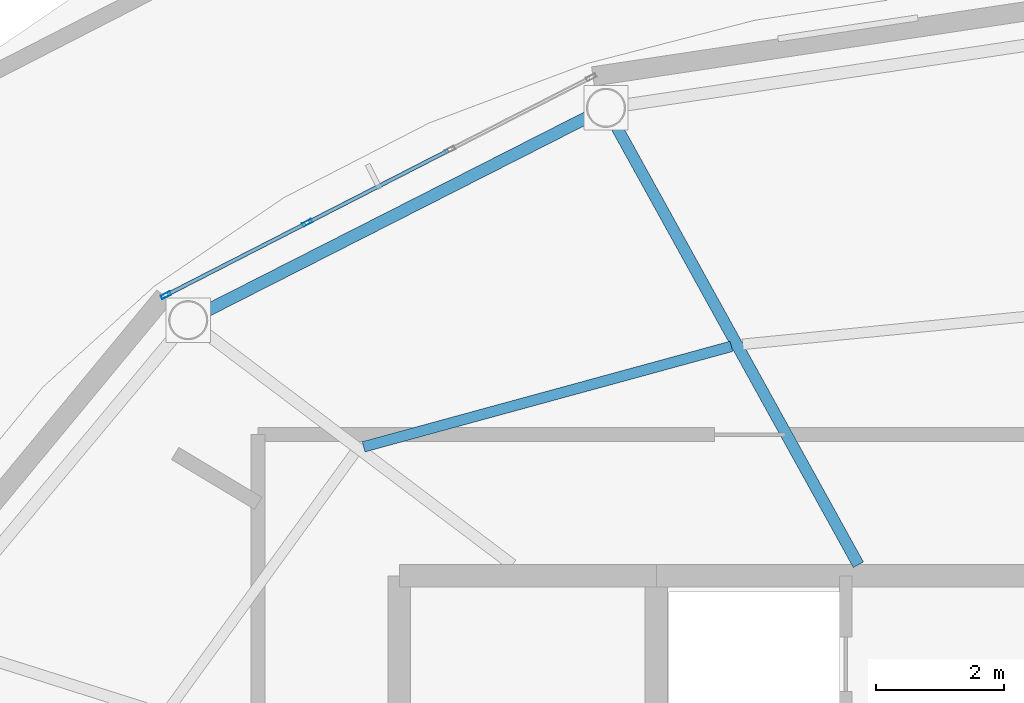
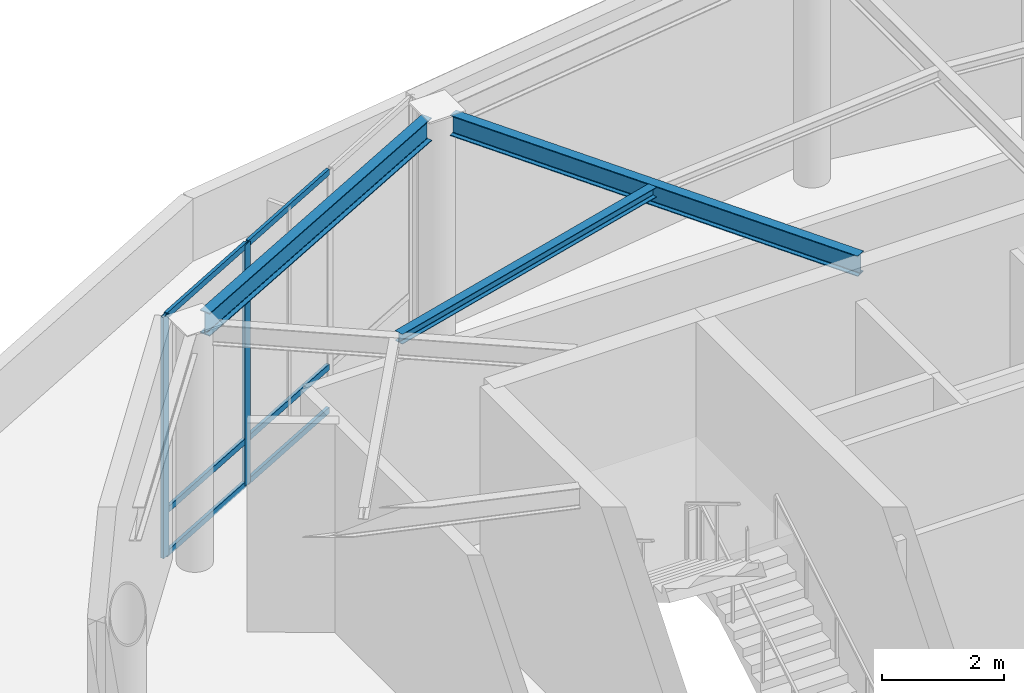
# One storey, part 4 of 15: 8 members, 3 beams, 1 element without a shape of its own.
"""IFC4 building model written with IfcOpenShell, lengths in metres."""

from ifc_helpers import new_model, si_unit, direction, frame, origin, origin_2d, place, context, subcontext, project, spatial, hollow_rectangle, i_section, extrude, material, layer, layer_set, material_profile, profile_set, type_object, element, aggregate, save


model = new_model("IFC4")

# Units and contexts
model_context = context("Model", 3, precision=1e-05, world=origin(), true_north=direction((0.0, 1.0)))
body_context = subcontext(model_context, "Body", "Model", "MODEL_VIEW")
ifc_project = project(units=[si_unit("LENGTHUNIT", "METRE"), si_unit("AREAUNIT", "SQUARE_METRE"), si_unit("VOLUMEUNIT", "CUBIC_METRE"), si_unit("PLANEANGLEUNIT", "RADIAN"), si_unit("MASSUNIT", "GRAM", prefix="KILO")], contexts=[model_context])

# Site, building, storey
site_placement = place(None, origin())
site = spatial("IfcSite", under=ifc_project, at=site_placement, CompositionType="ELEMENT")
building_placement = place(site_placement, origin())
building = spatial("IfcBuilding", under=site, at=building_placement, Name="Sarneth Arch Tower", CompositionType="ELEMENT")
storey_placement = place(building_placement, frame((0.0, 0.0, 316.5)))
storey = spatial("IfcBuildingStorey", under=building, at=storey_placement, Name="L82", CompositionType="ELEMENT", Elevation=316.5)

# Beams
ifc_material_1 = material(Name="Steel S355", Category="steel")
ifc_material_profile_1 = material_profile(ifc_material_1, i_section(OverallWidth=0.1650390625, OverallDepth=0.200927734375, WebThickness=0.006103515625, FlangeThickness=0.01025390625, FilletRadius=0.010009765625, at=origin_2d()), Name="W200x35.9")
ifc_profile_set_1 = profile_set([ifc_material_profile_1], Name="Steel S355")
beam_type_1 = type_object("IfcBeamType", Name="BM-JOIST-200", PredefinedType="JOIST", material=ifc_profile_set_1)
beam_1_placement = place(storey_placement, frame((42.1689453125, 52.375, 4.739501953125), z_axis=(-0.964665041137, -0.263479332034, 0.0), x_axis=(0.263479332034, -0.964665041137, 0.0)))
element("IfcBeam", 1, at=beam_1_placement, inside=storey, type_object=beam_type_1, Name="L82 Secondary floor joist 06", PredefinedType="JOIST", context=body_context, shape_type="SweptSolid", body=[
    extrude(i_section(OverallWidth=0.1650390625, OverallDepth=0.200927734375, WebThickness=0.006103515625, FlangeThickness=0.01025390625, FilletRadius=0.010009765625, at=origin_2d()), origin(), (0.0, 0.0, 1.0), 5.935791015625),
])
ifc_material_2 = material(Name="Steel S355", Category="steel")
ifc_material_profile_2 = material_profile(ifc_material_2, i_section(OverallWidth=0.179931640625, OverallDepth=0.4130859375, WebThickness=0.009765625, FlangeThickness=0.01611328125, FilletRadius=0.01611328125, at=origin_2d()), Name="W410x75")
ifc_profile_set_2 = profile_set([ifc_material_profile_2], Name="Steel S355")
beam_type_2 = type_object("IfcBeamType", Name="BM-RAD-410B", PredefinedType="BEAM", material=ifc_profile_set_2)
beam_2_placement = place(storey_placement, frame((44.14697265625, 48.97509765625, 4.633544921875), z_axis=(-0.483540137105, 0.875322189715, 0.0), x_axis=(-0.875322189715, -0.483540137105, 0.0)))
element("IfcBeam", 2, at=beam_2_placement, inside=storey, type_object=beam_type_2, Name="L82 Radial floor girder 06", PredefinedType="BEAM", context=body_context, shape_type="SweptSolid", body=[
    extrude(i_section(OverallWidth=0.179931640625, OverallDepth=0.4130859375, WebThickness=0.009765625, FlangeThickness=0.01611328125, FilletRadius=0.01611328125, at=origin_2d()), origin(), (0.0, 0.0, 1.0), 7.822509765625),
])
ifc_material_3 = material(Name="Steel S355", Category="steel")
ifc_material_profile_3 = material_profile(ifc_material_3, i_section(OverallWidth=0.19189453125, OverallDepth=0.462890625, WebThickness=0.010498046875, FlangeThickness=0.017578125, FilletRadius=0.01806640625, at=origin_2d()), Name="W460x89")
ifc_profile_set_3 = profile_set([ifc_material_profile_3], Name="Steel S355")
beam_type_3 = type_object("IfcBeamType", Name="BM-RAD-460B", PredefinedType="BEAM", material=ifc_profile_set_3)
beam_3_placement = place(storey_placement, frame((39.945068359375, 55.950927734375, 4.6083984375), z_axis=(-0.891524580884, -0.45297231889, 0.0), x_axis=(0.45297231889, -0.891524580884, 0.0)))
element("IfcBeam", 3, at=beam_3_placement, inside=storey, type_object=beam_type_3, Name="L82 Perimeter spandrel beam 06", PredefinedType="BEAM", context=body_context, shape_type="SweptSolid", body=[
    extrude(i_section(OverallWidth=0.19189453125, OverallDepth=0.462890625, WebThickness=0.010498046875, FlangeThickness=0.017578125, FilletRadius=0.01806640625, at=origin_2d()), origin(), (0.0, 0.0, 1.0), 6.6875),
])

# Curtain wall, members
ifc_material_4 = material(Name="Anodised aluminium Type AA25 and solar-control low-e laminated IGU", Category="aluminium")
ifc_layer = layer(ifc_material_4, 0.18994140625)
ifc_layer_set = layer_set([ifc_layer], Name="Anodised aluminium Type AA25 and solar-control low-e laminated IGU")
curtain_wall_type = type_object("IfcCurtainWallType", Name="CW-CROWN-DRUM", PredefinedType="NOTDEFINED", material=ifc_layer_set)
curtain_wall_placement = place(storey_placement, origin())
curtain_wall = element("IfcCurtainWall", 4, at=curtain_wall_placement, inside=storey, type_object=curtain_wall_type, Name="L82 Unitised curtain wall facet 06", PredefinedType="NOTDEFINED")
ifc_material_5 = material(Name="Anodised Aluminium 6063-T6", Category="aluminium")
ifc_material_profile_4 = material_profile(ifc_material_5, hollow_rectangle(XDim=0.06005859375, YDim=0.159912109375, WallThickness=0.00390625, at=origin_2d()), Name="AL-MULL-160x60x4")
ifc_profile_set_4 = profile_set([ifc_material_profile_4], Name="Anodised Aluminium 6063-T6")
member_type_1 = type_object("IfcMemberType", Name="CW-MULLION", PredefinedType="MULLION", material=ifc_profile_set_4)
member_1_placement = place(storey_placement, frame((35.564208984375, 54.29833984375, 0.0), z_axis=(0.0, 0.0, 1.0), x_axis=(0.456040359598, -0.8899590948, 0.0)))
member_1 = element("IfcMember", 5, at=member_1_placement, type_object=member_type_1, Name="CW-SYS-7 mullion 3", PredefinedType="MULLION", context=body_context, shape_type="SweptSolid", body=[
    extrude(hollow_rectangle(XDim=0.06005859375, YDim=0.159912109375, WallThickness=0.00390625, at=origin_2d()), origin(), (0.0, 0.0, 1.0), 4.840087890625),
])
member_2_placement = place(storey_placement, frame((33.36572265625, 53.171875, 0.0), z_axis=(0.0, 0.0, 1.0), x_axis=(0.456040359598, -0.8899590948, 0.0)))
member_2 = element("IfcMember", 6, at=member_2_placement, type_object=member_type_1, Name="CW-SYS-7 mullion 4", PredefinedType="MULLION", context=body_context, shape_type="SweptSolid", body=[
    extrude(hollow_rectangle(XDim=0.06005859375, YDim=0.159912109375, WallThickness=0.00390625, at=origin_2d()), origin(), (0.0, 0.0, 1.0), 4.840087890625),
])
ifc_material_6 = material(Name="Anodised Aluminium 6063-T6", Category="aluminium")
ifc_material_profile_5 = material_profile(ifc_material_6, hollow_rectangle(XDim=0.06005859375, YDim=0.1201171875, WallThickness=0.00390625, at=origin_2d()), Name="AL-TRAN-120x60x4")
ifc_profile_set_5 = profile_set([ifc_material_profile_5], Name="Anodised Aluminium 6063-T6")
member_type_2 = type_object("IfcMemberType", Name="CW-TRANSOM", PredefinedType="USERDEFINED", material=ifc_profile_set_5)
member_3_placement = place(storey_placement, frame((37.762451171875, 55.4248046875, 0.030029296875), z_axis=(-0.889961168319, -0.45603631312, 0.0), x_axis=(0.45603631312, -0.889961168319, 0.0)))
member_3 = element("IfcMember", 7, at=member_3_placement, type_object=member_type_2, Name="CW-SYS-7 transom 2.1", ObjectType="TRANSOM", PredefinedType="USERDEFINED", context=body_context, shape_type="SweptSolid", body=[
    extrude(hollow_rectangle(XDim=0.06005859375, YDim=0.1201171875, WallThickness=0.00390625, at=origin_2d()), origin(), (0.0, 0.0, 1.0), 2.440185546875),
])
member_4_placement = place(storey_placement, frame((37.762451171875, 55.4248046875, 0.89990234375), z_axis=(-0.889961168319, -0.45603631312, 0.0), x_axis=(0.45603631312, -0.889961168319, 0.0)))
member_4 = element("IfcMember", 8, at=member_4_placement, type_object=member_type_2, Name="CW-SYS-7 transom 2.2", ObjectType="TRANSOM", PredefinedType="USERDEFINED", context=body_context, shape_type="SweptSolid", body=[
    extrude(hollow_rectangle(XDim=0.06005859375, YDim=0.1201171875, WallThickness=0.00390625, at=origin_2d()), origin(), (0.0, 0.0, 1.0), 2.440185546875),
])
member_5_placement = place(storey_placement, frame((37.762451171875, 55.4248046875, 4.81005859375), z_axis=(-0.889961168319, -0.45603631312, 0.0), x_axis=(0.45603631312, -0.889961168319, 0.0)))
member_5 = element("IfcMember", 9, at=member_5_placement, type_object=member_type_2, Name="CW-SYS-7 transom 2.3", ObjectType="TRANSOM", PredefinedType="USERDEFINED", context=body_context, shape_type="SweptSolid", body=[
    extrude(hollow_rectangle(XDim=0.06005859375, YDim=0.1201171875, WallThickness=0.00390625, at=origin_2d()), origin(), (0.0, 0.0, 1.0), 2.440185546875),
])
member_6_placement = place(storey_placement, frame((35.537353515625, 54.28466796875, 0.030029296875), z_axis=(-0.889967167286, -0.456024605864, 0.0), x_axis=(0.456024605864, -0.889967167286, 0.0)))
member_6 = element("IfcMember", 10, at=member_6_placement, type_object=member_type_2, Name="CW-SYS-7 transom 3.1", ObjectType="TRANSOM", PredefinedType="USERDEFINED", context=body_context, shape_type="SweptSolid", body=[
    extrude(hollow_rectangle(XDim=0.06005859375, YDim=0.1201171875, WallThickness=0.00390625, at=origin_2d()), origin(), (0.0, 0.0, 1.0), 2.41015625),
])
member_7_placement = place(storey_placement, frame((35.537353515625, 54.28466796875, 0.89990234375), z_axis=(-0.889967167286, -0.456024605864, 0.0), x_axis=(0.456024605864, -0.889967167286, 0.0)))
member_7 = element("IfcMember", 11, at=member_7_placement, type_object=member_type_2, Name="CW-SYS-7 transom 3.2", ObjectType="TRANSOM", PredefinedType="USERDEFINED", context=body_context, shape_type="SweptSolid", body=[
    extrude(hollow_rectangle(XDim=0.06005859375, YDim=0.1201171875, WallThickness=0.00390625, at=origin_2d()), origin(), (0.0, 0.0, 1.0), 2.41015625),
])
member_8_placement = place(storey_placement, frame((35.537353515625, 54.28466796875, 4.81005859375), z_axis=(-0.889967167286, -0.456024605864, 0.0), x_axis=(0.456024605864, -0.889967167286, 0.0)))
member_8 = element("IfcMember", 12, at=member_8_placement, type_object=member_type_2, Name="CW-SYS-7 transom 3.3", ObjectType="TRANSOM", PredefinedType="USERDEFINED", context=body_context, shape_type="SweptSolid", body=[
    extrude(hollow_rectangle(XDim=0.06005859375, YDim=0.1201171875, WallThickness=0.00390625, at=origin_2d()), origin(), (0.0, 0.0, 1.0), 2.41015625),
])
aggregate(curtain_wall, [member_1, member_2, member_3, member_4, member_5, member_6, member_7, member_8])

save(model, "model.ifc")
